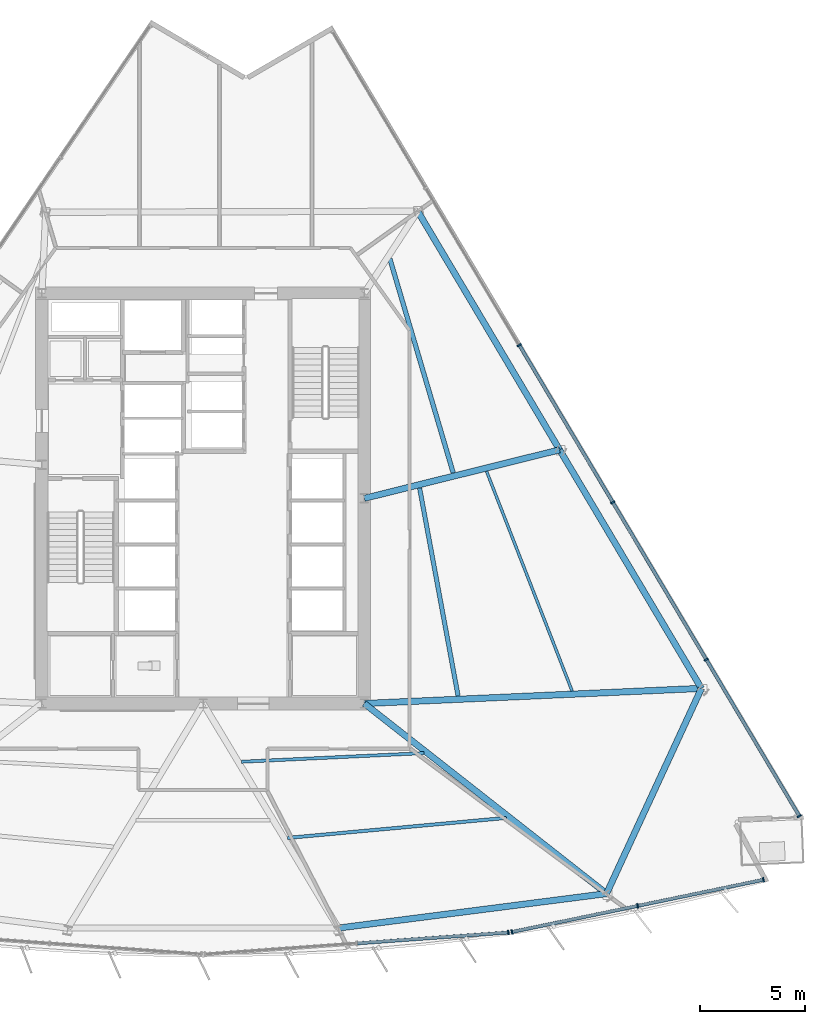
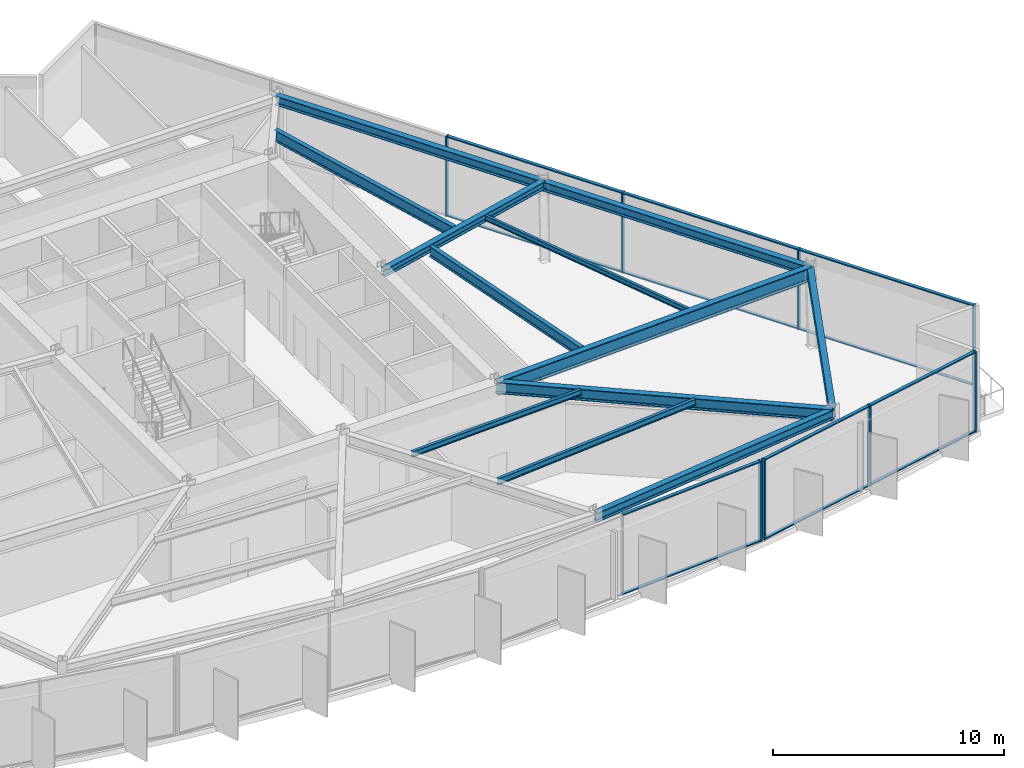
# One storey, part 4 of 14: 20 members, 12 beams, 3 elements without a shape of their own.
"""IFC4 building model written with IfcOpenShell, lengths in metres."""

from ifc_helpers import new_model, si_unit, direction, frame, origin, origin_2d, place, context, subcontext, project, spatial, rectangle, i_section, extrude, material, material_profile, profile_set, type_object, element, aggregate, save


model = new_model("IFC4")

# Units and contexts
model_context = context("Model", 3, precision=1e-05, world=origin(), true_north=direction((0.0, 1.0)))
body_context = subcontext(model_context, "Body", "Model", "MODEL_VIEW")
ifc_project = project(units=[si_unit("LENGTHUNIT", "METRE"), si_unit("AREAUNIT", "SQUARE_METRE"), si_unit("VOLUMEUNIT", "CUBIC_METRE"), si_unit("PLANEANGLEUNIT", "RADIAN"), si_unit("MASSUNIT", "GRAM", prefix="KILO")], contexts=[model_context])

# Site, building, storey
site_placement = place(None, origin())
site = spatial("IfcSite", under=ifc_project, at=site_placement, CompositionType="ELEMENT")
building_placement = place(site_placement, origin())
building = spatial("IfcBuilding", under=site, at=building_placement, Name="Savorim Split Tower", CompositionType="ELEMENT")
storey_placement = place(building_placement, frame((0.0, 0.0, 78.0)))
storey = spatial("IfcBuildingStorey", under=building, at=storey_placement, Name="L20", CompositionType="ELEMENT", Elevation=78.0)

# Beams
ifc_material_1 = material(Name="Steel S355", Category="steel")
ifc_material_profile_1 = material_profile(ifc_material_1, i_section(OverallWidth=0.135009765625, OverallDepth=0.27001953125, WebThickness=0.006591796875, FlangeThickness=0.01025390625, FilletRadius=0.014892578125, at=origin_2d()), Name="IPE 270")
ifc_profile_set_1 = profile_set([ifc_material_profile_1], Name="Steel S355")
beam_type_1 = type_object("IfcBeamType", Name="BM-JST-IPE270", PredefinedType="JOIST", material=ifc_profile_set_1)
beam_1_placement = place(storey_placement, frame((17.62548828125, -8.802490234375, 4.114990234375), z_axis=(-0.36283868109, 0.931851968665, 0.0), x_axis=(-0.931851968665, -0.36283868109, 0.0)))
element("IfcBeam", 1, at=beam_1_placement, inside=storey, type_object=beam_type_1, Name="L20 Secondary Floor Joist JS-06", PredefinedType="JOIST", context=body_context, shape_type="SweptSolid", body=[
    extrude(i_section(OverallWidth=0.135009765625, OverallDepth=0.27001953125, WebThickness=0.006591796875, FlangeThickness=0.01025390625, FilletRadius=0.014892578125, at=origin_2d()), origin(), (0.0, 0.0, 1.0), 11.257568359375),
])
ifc_material_profile_2 = material_profile(ifc_material_1, i_section(OverallWidth=0.14990234375, OverallDepth=0.300048828125, WebThickness=0.007080078125, FlangeThickness=0.0107421875, FilletRadius=0.014892578125, at=origin_2d()), Name="IPE 300")
ifc_profile_set_2 = profile_set([ifc_material_profile_2], Name="Steel S355")
beam_type_2 = type_object("IfcBeamType", Name="BM-JST-IPE300", PredefinedType="JOIST", material=ifc_profile_set_2)
beam_2_placement = place(storey_placement, frame((1.8388671875, -12.180908203125, 4.10009765625), z_axis=(0.998881024411, 0.047293752985, 0.0), x_axis=(-0.047293752985, 0.998881024411, 0.0)))
element("IfcBeam", 2, at=beam_2_placement, inside=storey, type_object=beam_type_2, Name="L20 Secondary Floor Joist JS-05", PredefinedType="JOIST", context=body_context, shape_type="SweptSolid", body=[
    extrude(i_section(OverallWidth=0.14990234375, OverallDepth=0.300048828125, WebThickness=0.007080078125, FlangeThickness=0.0107421875, FilletRadius=0.014892578125, at=origin_2d()), origin(), (0.0, 0.0, 1.0), 8.718994140625),
])
ifc_material_profile_3 = material_profile(ifc_material_1, i_section(OverallWidth=0.159912109375, OverallDepth=0.330078125, WebThickness=0.007568359375, FlangeThickness=0.011474609375, FilletRadius=0.01806640625, at=origin_2d()), Name="IPE 330")
ifc_profile_set_3 = profile_set([ifc_material_profile_3], Name="Steel S355")
beam_type_3 = type_object("IfcBeamType", Name="BM-JST-IPE330", PredefinedType="JOIST", material=ifc_profile_set_3)
beam_3_placement = place(storey_placement, frame((4.0341796875, -15.820556640625, 4.0849609375), z_axis=(0.995824834055, 0.091284718759, 0.0), x_axis=(-0.091284718759, 0.995824834055, 0.0)))
element("IfcBeam", 3, at=beam_3_placement, inside=storey, type_object=beam_type_3, Name="L20 Secondary Floor Joist JS-04", PredefinedType="JOIST", context=body_context, shape_type="SweptSolid", body=[
    extrude(i_section(OverallWidth=0.159912109375, OverallDepth=0.330078125, WebThickness=0.007568359375, FlangeThickness=0.011474609375, FilletRadius=0.01806640625, at=origin_2d()), origin(), (0.0, 0.0, 1.0), 10.491943359375),
])
ifc_material_profile_4 = material_profile(ifc_material_1, i_section(OverallWidth=0.2099609375, OverallDepth=0.550048828125, WebThickness=0.010986328125, FlangeThickness=0.01708984375, FilletRadius=0.02392578125, at=origin_2d()), Name="IPE 550")
ifc_profile_set_4 = profile_set([ifc_material_profile_4], Name="Steel S355")
beam_type_4 = type_object("IfcBeamType", Name="BM-JST-IPE550", PredefinedType="JOIST", material=ifc_profile_set_4)
beam_4_placement = place(storey_placement, frame((12.1796875, -9.040283203125, 3.97509765625), z_axis=(-0.182077142811, 0.983284248865, 0.0), x_axis=(-0.983284248865, -0.182077142811, 0.0)))
element("IfcBeam", 4, at=beam_4_placement, inside=storey, type_object=beam_type_4, Name="L20 Secondary Floor Joist JS-08", PredefinedType="JOIST", context=body_context, shape_type="SweptSolid", body=[
    extrude(i_section(OverallWidth=0.2099609375, OverallDepth=0.550048828125, WebThickness=0.010986328125, FlangeThickness=0.01708984375, FilletRadius=0.02392578125, at=origin_2d()), origin(), (0.0, 0.0, 1.0), 10.100830078125),
])
ifc_material_profile_5 = material_profile(ifc_material_1, i_section(OverallWidth=0.219970703125, OverallDepth=0.60009765625, WebThickness=0.011962890625, FlangeThickness=0.01904296875, FilletRadius=0.02392578125, at=origin_2d()), Name="IPE 600")
ifc_profile_set_5 = profile_set([ifc_material_profile_5], Name="Steel S355")
beam_type_5 = type_object("IfcBeamType", Name="BM-JST-IPE600", PredefinedType="JOIST", material=ifc_profile_set_5)
beam_5_placement = place(storey_placement, frame((11.945068359375, 1.61962890625, 3.949951171875), z_axis=(-0.283733687713, 0.958903120475, 0.0), x_axis=(-0.958903120475, -0.283733687713, 0.0)))
element("IfcBeam", 5, at=beam_5_placement, inside=storey, type_object=beam_type_5, Name="L20 Secondary Floor Joist JS-07", PredefinedType="JOIST", context=body_context, shape_type="SweptSolid", body=[
    extrude(i_section(OverallWidth=0.219970703125, OverallDepth=0.60009765625, WebThickness=0.011962890625, FlangeThickness=0.01904296875, FilletRadius=0.02392578125, at=origin_2d()), origin(), (0.0, 0.0, 1.0), 10.665283203125),
])
ifc_material_profile_6 = material_profile(ifc_material_1, i_section(OverallWidth=0.300048828125, OverallDepth=0.39990234375, WebThickness=0.013427734375, FlangeThickness=0.02392578125, FilletRadius=0.027099609375, at=origin_2d()), Name="HEB 400")
ifc_profile_set_6 = profile_set([ifc_material_profile_6], Name="Steel S355")
beam_type_6 = type_object("IfcBeamType", Name="BM-PRI-HEB400", PredefinedType="BEAM", material=ifc_profile_set_6)
beam_6_placement = place(storey_placement, frame((17.02685546875, 2.718017578125, 4.050048828125), z_axis=(-0.970474813436, -0.241202480265, 0.0), x_axis=(0.241202480265, -0.970474813436, 0.0)))
element("IfcBeam", 6, at=beam_6_placement, inside=storey, type_object=beam_type_6, Name="L20 Primary Floor Girder RG-06", PredefinedType="BEAM", context=body_context, shape_type="SweptSolid", body=[
    extrude(i_section(OverallWidth=0.300048828125, OverallDepth=0.39990234375, WebThickness=0.013427734375, FlangeThickness=0.02392578125, FilletRadius=0.027099609375, at=origin_2d()), origin(), (0.0, 0.0, 1.0), 9.610595703125),
])
ifc_material_profile_7 = material_profile(ifc_material_1, i_section(OverallWidth=0.300048828125, OverallDepth=0.60009765625, WebThickness=0.015380859375, FlangeThickness=0.030029296875, FilletRadius=0.027099609375, at=origin_2d()), Name="HEB 600")
ifc_profile_set_7 = profile_set([ifc_material_profile_7], Name="Steel S355")
beam_type_7 = type_object("IfcBeamType", Name="BM-PRI-HEB600", PredefinedType="BEAM", material=ifc_profile_set_7)
beam_7_placement = place(storey_placement, frame((19.269287109375, -18.480224609375, 3.949951171875), z_axis=(-0.786644261054, 0.617406516447, 0.0), x_axis=(-0.617406516447, -0.786644261054, 0.0)))
element("IfcBeam", 7, at=beam_7_placement, inside=storey, type_object=beam_type_7, Name="L20 Primary Floor Girder RG-04", PredefinedType="BEAM", context=body_context, shape_type="SweptSolid", body=[
    extrude(i_section(OverallWidth=0.300048828125, OverallDepth=0.60009765625, WebThickness=0.015380859375, FlangeThickness=0.030029296875, FilletRadius=0.027099609375, at=origin_2d()), origin(), (0.0, 0.0, 1.0), 14.707275390625),
])
ifc_material_2 = material(Name="Steel S460", Category="steel")
ifc_material_profile_8 = material_profile(ifc_material_2, i_section(OverallWidth=0.303955078125, OverallDepth=0.716064453125, WebThickness=0.02099609375, FlangeThickness=0.0400390625, FilletRadius=0.027099609375, at=origin_2d()), Name="HE 700 M")
ifc_profile_set_8 = profile_set([ifc_material_profile_8], Name="Steel S460")
beam_type_8 = type_object("IfcBeamType", Name="BM-PRI-HEM700", PredefinedType="BEAM", material=ifc_profile_set_8)
beam_8_placement = place(storey_placement, frame((23.802490234375, -8.677001953125, 3.89208984375), z_axis=(-0.998993804576, -0.044848393707, 0.0), x_axis=(0.044848393707, -0.998993804576, 0.0)))
element("IfcBeam", 8, at=beam_8_placement, inside=storey, type_object=beam_type_8, Name="L20 Primary Floor Girder RG-05", PredefinedType="BEAM", context=body_context, shape_type="SweptSolid", body=[
    extrude(i_section(OverallWidth=0.303955078125, OverallDepth=0.716064453125, WebThickness=0.02099609375, FlangeThickness=0.0400390625, FilletRadius=0.027099609375, at=origin_2d()), origin(), (0.0, 0.0, 1.0), 16.11865234375),
])
ifc_material_profile_9 = material_profile(ifc_material_1, i_section(OverallWidth=0.300048828125, OverallDepth=0.489990234375, WebThickness=0.011962890625, FlangeThickness=0.02294921875, FilletRadius=0.027099609375, at=origin_2d()), Name="HEA 500")
ifc_profile_set_9 = profile_set([ifc_material_profile_9], Name="Steel S355")
beam_type_9 = type_object("IfcBeamType", Name="BM-SPN-HEA500", PredefinedType="SPANDREL", material=ifc_profile_set_9)
beam_9_placement = place(storey_placement, frame((6.458251953125, -20.125, 4.0048828125), z_axis=(0.991858846629, 0.127342170403, 0.0), x_axis=(-0.127342170403, 0.991858846629, 0.0)))
element("IfcBeam", 9, at=beam_9_placement, inside=storey, type_object=beam_type_9, Name="L20 Perimeter Spandrel Beam 3", PredefinedType="SPANDREL", context=body_context, shape_type="SweptSolid", body=[
    extrude(i_section(OverallWidth=0.300048828125, OverallDepth=0.489990234375, WebThickness=0.011962890625, FlangeThickness=0.02294921875, FilletRadius=0.027099609375, at=origin_2d()), origin(), (0.0, 0.0, 1.0), 12.916259765625),
])
beam_10_placement = place(storey_placement, frame((19.269287109375, -18.480224609375, 4.0048828125), z_axis=(0.419717452198, 0.907654813418, 0.0), x_axis=(-0.907654813418, 0.419717452198, 0.0)))
element("IfcBeam", 10, at=beam_10_placement, inside=storey, type_object=beam_type_9, Name="L20 Perimeter Spandrel Beam 4", PredefinedType="SPANDREL", context=body_context, shape_type="SweptSolid", body=[
    extrude(i_section(OverallWidth=0.300048828125, OverallDepth=0.489990234375, WebThickness=0.011962890625, FlangeThickness=0.02294921875, FilletRadius=0.027099609375, at=origin_2d()), origin(), (0.0, 0.0, 1.0), 10.800537109375),
])
for number, where, z_axis, x_axis, name in (
    (11, (23.802490234375, -8.677001953125, 4.0048828125), (-0.51108752743, 0.859528672765, 0.0), (-0.859528672765, -0.51108752743, 0.0), "L20 Perimeter Spandrel Beam 5"),
    (12, (17.02685546875, 2.718017578125, 4.0048828125), (-0.51108752743, 0.859528672765, 0.0), (-0.859528672765, -0.51108752743, 0.0), "L20 Perimeter Spandrel Beam 6"),
):
    element("IfcBeam", number, at=place(storey_placement, frame(where, z_axis=z_axis, x_axis=x_axis)), inside=storey, type_object=beam_type_9, Name=name, PredefinedType="SPANDREL", context=body_context, shape_type="SweptSolid", body=[
        extrude(i_section(OverallWidth=0.300048828125, OverallDepth=0.489990234375, WebThickness=0.011962890625, FlangeThickness=0.02294921875, FilletRadius=0.027099609375, at=origin_2d()), origin(), (0.0, 0.0, 1.0), 13.25732421875),
    ])

# Curtain wall, member
ifc_material_3 = material(Name="Dark Ceramic-Fritted Insulated Glass", Category="glass")
curtain_wall_type = type_object("IfcCurtainWallType", Name="CW-SKY-ATRIUM", PredefinedType="NOTDEFINED", material=ifc_material_3)
curtain_wall_1_placement = place(storey_placement, origin())
curtain_wall_1 = element("IfcCurtainWall", 13, at=curtain_wall_1_placement, inside=storey, type_object=curtain_wall_type, Name="L20 Curtain Wall CW-L20-SF3", PredefinedType="NOTDEFINED")
ifc_material_4 = material(Name="Charcoal Anodised Aluminium", Category="aluminium")
ifc_material_profile_10 = material_profile(ifc_material_4, rectangle(XDim=0.219970703125, YDim=0.070068359375, at=origin_2d()), Name="ALU-M 220x70")
ifc_profile_set_10 = profile_set([ifc_material_profile_10], Name="Charcoal Anodised Aluminium")
member_type_1 = type_object("IfcMemberType", Name="CWM-220x70", PredefinedType="MULLION", material=ifc_profile_set_10)
member_1_placement = place(storey_placement, frame((14.577880859375, -20.334716796875, 0.0), z_axis=(0.0, 0.0, 1.0), x_axis=(-0.071560540796, 0.997436258114, 0.0)))
member_1 = element("IfcMember", 14, at=member_1_placement, type_object=member_type_1, Name="CW-05 mullion 3", PredefinedType="MULLION", context=body_context, shape_type="SweptSolid", body=[
    extrude(rectangle(XDim=0.219970703125, YDim=0.070068359375, at=origin_2d()), origin(), (0.0, 0.0, 1.0), 4.25),
])

# Curtain wall, members
curtain_wall_2_placement = place(storey_placement, origin())
curtain_wall_2 = element("IfcCurtainWall", 15, at=curtain_wall_2_placement, inside=storey, type_object=curtain_wall_type, Name="L20 Curtain Wall CW-L20-SF4", PredefinedType="NOTDEFINED")
member_2_placement = place(storey_placement, frame((14.749755859375, -20.310791015625, 0.0), z_axis=(0.0, 0.0, 1.0), x_axis=(-0.203210153081, 0.979135145772, 0.0)))
member_2 = element("IfcMember", 16, at=member_2_placement, type_object=member_type_1, Name="CW-05 mullion 1", PredefinedType="MULLION", context=body_context, shape_type="SweptSolid", body=[
    extrude(rectangle(XDim=0.219970703125, YDim=0.070068359375, at=origin_2d()), origin(), (0.0, 0.0, 1.0), 4.25),
])
member_3_placement = place(storey_placement, frame((20.75634765625, -19.064208984375, 0.0), z_axis=(0.0, 0.0, 1.0), x_axis=(-0.203210153081, 0.979135145772, 0.0)))
member_3 = element("IfcMember", 17, at=member_3_placement, type_object=member_type_1, Name="CW-05 mullion 2", PredefinedType="MULLION", context=body_context, shape_type="SweptSolid", body=[
    extrude(rectangle(XDim=0.219970703125, YDim=0.070068359375, at=origin_2d()), origin(), (0.0, 0.0, 1.0), 4.25),
])
member_4_placement = place(storey_placement, frame((26.7626953125, -17.817626953125, 0.0), z_axis=(0.0, 0.0, 1.0), x_axis=(-0.203210153081, 0.979135145772, 0.0)))
member_4 = element("IfcMember", 18, at=member_4_placement, type_object=member_type_1, Name="CW-05 mullion 3", PredefinedType="MULLION", context=body_context, shape_type="SweptSolid", body=[
    extrude(rectangle(XDim=0.219970703125, YDim=0.070068359375, at=origin_2d()), origin(), (0.0, 0.0, 1.0), 4.25),
])

curtain_wall_3_placement = place(storey_placement, origin())
curtain_wall_3 = element("IfcCurtainWall", 19, at=curtain_wall_3_placement, inside=storey, type_object=curtain_wall_type, Name="L20 Curtain Wall CW-L20-EAST", PredefinedType="NOTDEFINED")
member_5_placement = place(storey_placement, frame((28.47900390625, -14.779541015625, 0.0), z_axis=(0.0, 0.0, 1.0), x_axis=(-0.85952523283, -0.511093312545, 0.0)))
member_5 = element("IfcMember", 20, at=member_5_placement, type_object=member_type_1, Name="CW-05 mullion 1", PredefinedType="MULLION", context=body_context, shape_type="SweptSolid", body=[
    extrude(rectangle(XDim=0.219970703125, YDim=0.070068359375, at=origin_2d()), origin(), (0.0, 0.0, 1.0), 4.25),
])
member_6_placement = place(storey_placement, frame((24.031982421875, -7.30078125, 0.0), z_axis=(0.0, 0.0, 1.0), x_axis=(-0.85952523283, -0.511093312545, 0.0)))
member_6 = element("IfcMember", 21, at=member_6_placement, type_object=member_type_1, Name="CW-05 mullion 2", PredefinedType="MULLION", context=body_context, shape_type="SweptSolid", body=[
    extrude(rectangle(XDim=0.219970703125, YDim=0.070068359375, at=origin_2d()), origin(), (0.0, 0.0, 1.0), 4.25),
])
member_7_placement = place(storey_placement, frame((19.567138671875, 0.2080078125, 0.0), z_axis=(0.0, 0.0, 1.0), x_axis=(-0.85952523283, -0.511093312545, 0.0)))
member_7 = element("IfcMember", 22, at=member_7_placement, type_object=member_type_1, Name="CW-05 mullion 3", PredefinedType="MULLION", context=body_context, shape_type="SweptSolid", body=[
    extrude(rectangle(XDim=0.219970703125, YDim=0.070068359375, at=origin_2d()), origin(), (0.0, 0.0, 1.0), 4.25),
])
member_8_placement = place(storey_placement, frame((15.10205078125, 7.716796875, 0.0), z_axis=(0.0, 0.0, 1.0), x_axis=(-0.85952523283, -0.511093312545, 0.0)))
member_8 = element("IfcMember", 23, at=member_8_placement, type_object=member_type_1, Name="CW-05 mullion 4", PredefinedType="MULLION", context=body_context, shape_type="SweptSolid", body=[
    extrude(rectangle(XDim=0.219970703125, YDim=0.070068359375, at=origin_2d()), origin(), (0.0, 0.0, 1.0), 4.25),
])

# Member
ifc_material_profile_11 = material_profile(ifc_material_4, rectangle(XDim=0.159912109375, YDim=0.06005859375, at=origin_2d()), Name="ALU-T 160x60")
ifc_profile_set_11 = profile_set([ifc_material_profile_11], Name="Charcoal Anodised Aluminium")
member_type_2 = type_object("IfcMemberType", Name="CWT-160x60", PredefinedType="USERDEFINED", material=ifc_profile_set_11)
member_9_placement = place(storey_placement, frame((7.366943359375, -20.85205078125, 0.030029296875), z_axis=(0.997435738192, 0.071567787291, 0.0), x_axis=(-0.071567787291, 0.997435738192, 0.0)))
member_9 = element("IfcMember", 24, at=member_9_placement, type_object=member_type_2, Name="CW-05 transom 2.1", ObjectType="TRANSOM", PredefinedType="USERDEFINED", context=body_context, shape_type="SweptSolid", body=[
    extrude(rectangle(XDim=0.159912109375, YDim=0.06005859375, at=origin_2d()), origin(), (0.0, 0.0, 1.0), 7.194580078125),
])

member_10_placement = place(storey_placement, frame((7.366943359375, -20.85205078125, 4.219970703125), z_axis=(0.997435738192, 0.071567787291, 0.0), x_axis=(-0.071567787291, 0.997435738192, 0.0)))
member_10 = element("IfcMember", 25, at=member_10_placement, type_object=member_type_2, Name="CW-05 transom 2.2", ObjectType="TRANSOM", PredefinedType="USERDEFINED", context=body_context, shape_type="SweptSolid", body=[
    extrude(rectangle(XDim=0.159912109375, YDim=0.06005859375, at=origin_2d()), origin(), (0.0, 0.0, 1.0), 7.194580078125),
])

aggregate(curtain_wall_1, [member_1, member_9, member_10])

member_11_placement = place(storey_placement, frame((14.783935546875, -20.303466796875, 0.030029296875), z_axis=(0.979141544758, 0.203179318164, 0.0), x_axis=(-0.203179318164, 0.979141544758, 0.0)))
member_11 = element("IfcMember", 26, at=member_11_placement, type_object=member_type_2, Name="CW-05 transom 1.1", ObjectType="TRANSOM", PredefinedType="USERDEFINED", context=body_context, shape_type="SweptSolid", body=[
    extrude(rectangle(XDim=0.159912109375, YDim=0.06005859375, at=origin_2d()), origin(), (0.0, 0.0, 1.0), 6.064453125),
])

member_12_placement = place(storey_placement, frame((14.783935546875, -20.303466796875, 4.219970703125), z_axis=(0.979141544758, 0.203179318164, 0.0), x_axis=(-0.203179318164, 0.979141544758, 0.0)))
member_12 = element("IfcMember", 27, at=member_12_placement, type_object=member_type_2, Name="CW-05 transom 1.2", ObjectType="TRANSOM", PredefinedType="USERDEFINED", context=body_context, shape_type="SweptSolid", body=[
    extrude(rectangle(XDim=0.159912109375, YDim=0.06005859375, at=origin_2d()), origin(), (0.0, 0.0, 1.0), 6.064453125),
])

member_13_placement = place(storey_placement, frame((20.79052734375, -19.056884765625, 0.030029296875), z_axis=(0.979141544758, 0.203179318164, 0.0), x_axis=(-0.203179318164, 0.979141544758, 0.0)))
member_13 = element("IfcMember", 28, at=member_13_placement, type_object=member_type_2, Name="CW-05 transom 2.1", ObjectType="TRANSOM", PredefinedType="USERDEFINED", context=body_context, shape_type="SweptSolid", body=[
    extrude(rectangle(XDim=0.159912109375, YDim=0.06005859375, at=origin_2d()), origin(), (0.0, 0.0, 1.0), 6.064453125),
])

member_14_placement = place(storey_placement, frame((20.79052734375, -19.056884765625, 4.219970703125), z_axis=(0.979141544758, 0.203179318164, 0.0), x_axis=(-0.203179318164, 0.979141544758, 0.0)))
member_14 = element("IfcMember", 29, at=member_14_placement, type_object=member_type_2, Name="CW-05 transom 2.2", ObjectType="TRANSOM", PredefinedType="USERDEFINED", context=body_context, shape_type="SweptSolid", body=[
    extrude(rectangle(XDim=0.159912109375, YDim=0.06005859375, at=origin_2d()), origin(), (0.0, 0.0, 1.0), 6.064453125),
])

aggregate(curtain_wall_2, [member_2, member_3, member_4, member_11, member_12, member_13, member_14])

member_15_placement = place(storey_placement, frame((28.4609375, -14.74951171875, 0.030029296875), z_axis=(-0.511076522496, 0.859535216354, 0.0), x_axis=(-0.859535216354, -0.511076522496, 0.0)))
member_15 = element("IfcMember", 30, at=member_15_placement, type_object=member_type_2, Name="CW-05 transom 1.1", ObjectType="TRANSOM", PredefinedType="USERDEFINED", context=body_context, shape_type="SweptSolid", body=[
    extrude(rectangle(XDim=0.159912109375, YDim=0.06005859375, at=origin_2d()), origin(), (0.0, 0.0, 1.0), 8.631103515625),
])

member_16_placement = place(storey_placement, frame((28.4609375, -14.74951171875, 4.219970703125), z_axis=(-0.511076522496, 0.859535216354, 0.0), x_axis=(-0.859535216354, -0.511076522496, 0.0)))
member_16 = element("IfcMember", 31, at=member_16_placement, type_object=member_type_2, Name="CW-05 transom 1.2", ObjectType="TRANSOM", PredefinedType="USERDEFINED", context=body_context, shape_type="SweptSolid", body=[
    extrude(rectangle(XDim=0.159912109375, YDim=0.06005859375, at=origin_2d()), origin(), (0.0, 0.0, 1.0), 8.631103515625),
])

member_17_placement = place(storey_placement, frame((24.013916015625, -7.270751953125, 0.030029296875), z_axis=(-0.511086081239, 0.859529532689, 0.0), x_axis=(-0.859529532689, -0.511086081239, 0.0)))
member_17 = element("IfcMember", 32, at=member_17_placement, type_object=member_type_2, Name="CW-05 transom 2.1", ObjectType="TRANSOM", PredefinedType="USERDEFINED", context=body_context, shape_type="SweptSolid", body=[
    extrude(rectangle(XDim=0.159912109375, YDim=0.06005859375, at=origin_2d()), origin(), (0.0, 0.0, 1.0), 8.665771484375),
])

member_18_placement = place(storey_placement, frame((24.013916015625, -7.270751953125, 4.219970703125), z_axis=(-0.511086081239, 0.859529532689, 0.0), x_axis=(-0.859529532689, -0.511086081239, 0.0)))
member_18 = element("IfcMember", 33, at=member_18_placement, type_object=member_type_2, Name="CW-05 transom 2.2", ObjectType="TRANSOM", PredefinedType="USERDEFINED", context=body_context, shape_type="SweptSolid", body=[
    extrude(rectangle(XDim=0.159912109375, YDim=0.06005859375, at=origin_2d()), origin(), (0.0, 0.0, 1.0), 8.665771484375),
])

member_19_placement = place(storey_placement, frame((19.549072265625, 0.238037109375, 0.030029296875), z_axis=(-0.511086081239, 0.859529532689, 0.0), x_axis=(-0.859529532689, -0.511086081239, 0.0)))
member_19 = element("IfcMember", 34, at=member_19_placement, type_object=member_type_2, Name="CW-05 transom 3.1", ObjectType="TRANSOM", PredefinedType="USERDEFINED", context=body_context, shape_type="SweptSolid", body=[
    extrude(rectangle(XDim=0.159912109375, YDim=0.06005859375, at=origin_2d()), origin(), (0.0, 0.0, 1.0), 8.665771484375),
])

member_20_placement = place(storey_placement, frame((19.549072265625, 0.238037109375, 4.219970703125), z_axis=(-0.511086081239, 0.859529532689, 0.0), x_axis=(-0.859529532689, -0.511086081239, 0.0)))
member_20 = element("IfcMember", 35, at=member_20_placement, type_object=member_type_2, Name="CW-05 transom 3.2", ObjectType="TRANSOM", PredefinedType="USERDEFINED", context=body_context, shape_type="SweptSolid", body=[
    extrude(rectangle(XDim=0.159912109375, YDim=0.06005859375, at=origin_2d()), origin(), (0.0, 0.0, 1.0), 8.665771484375),
])

aggregate(curtain_wall_3, [member_5, member_6, member_7, member_8, member_15, member_16, member_17, member_18, member_19, member_20])

save(model, "model.ifc")
